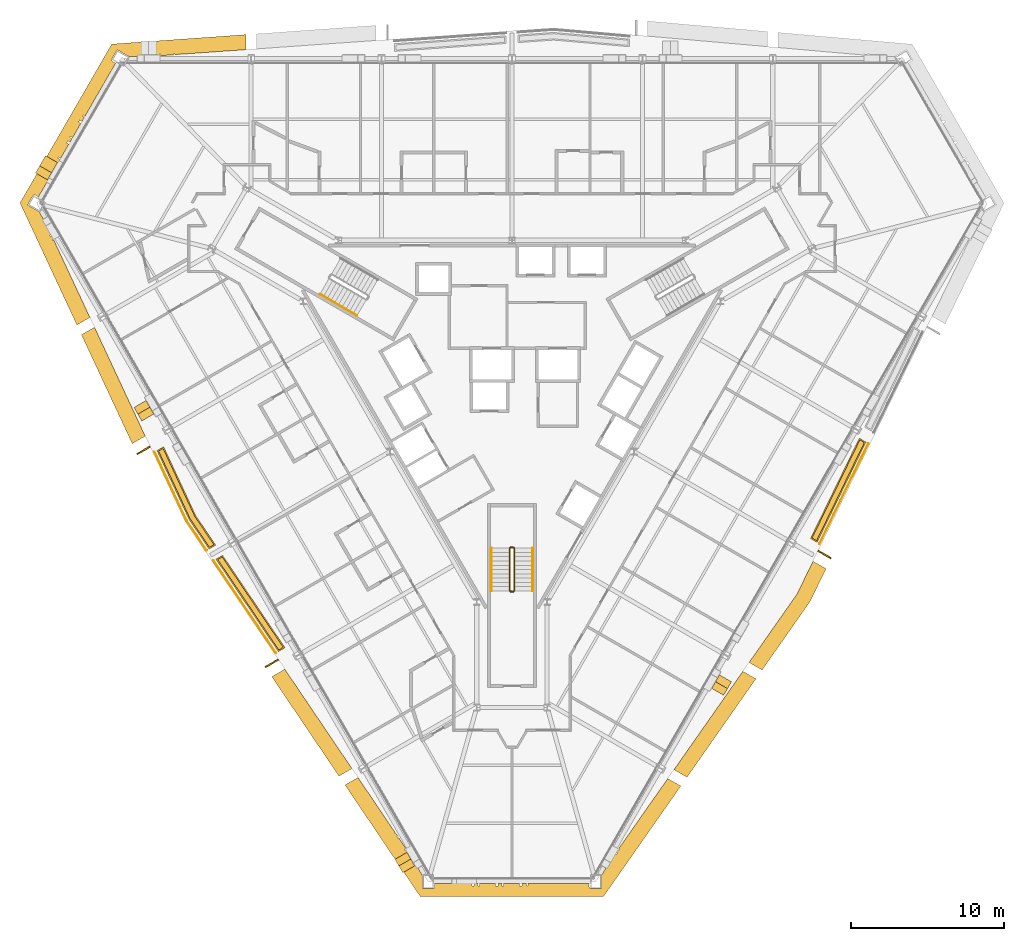
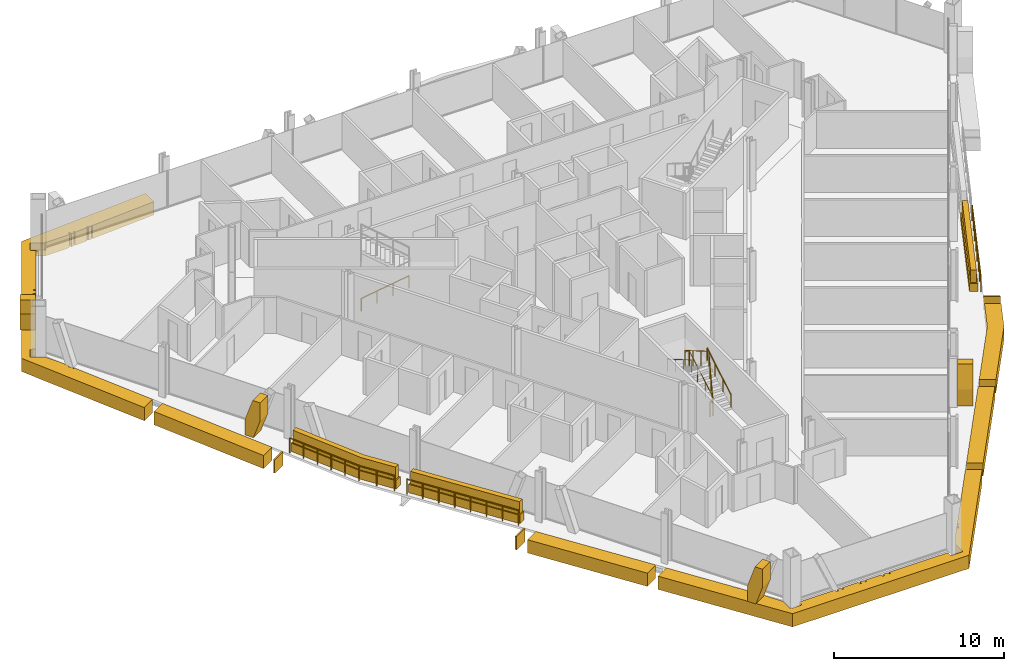
# One storey, part 17 of 18: 19 coverings, 7 railings.
"""IFC4 building model written with IfcOpenShell, lengths in metres."""

from ifc_helpers import new_model, si_unit, direction, frame, origin, origin_2d, place, context, subcontext, project, spatial, polyline, circle, outline, extrude, material, layer, layer_set, type_object, element, save


model = new_model("IFC4")

# Units and contexts
model_context = context("Model", 3, precision=1e-05, world=origin(), true_north=direction((0.0, 1.0)))
body_context = subcontext(model_context, "Body", "Model", "MODEL_VIEW")
ifc_project = project(units=[si_unit("LENGTHUNIT", "METRE"), si_unit("AREAUNIT", "SQUARE_METRE"), si_unit("VOLUMEUNIT", "CUBIC_METRE"), si_unit("PLANEANGLEUNIT", "RADIAN"), si_unit("MASSUNIT", "GRAM", prefix="KILO")], contexts=[model_context])

# Site, building, storey
site_placement = place(None, origin())
site = spatial("IfcSite", under=ifc_project, at=site_placement, CompositionType="ELEMENT")
building_placement = place(site_placement, origin())
building = spatial("IfcBuilding", under=site, at=building_placement, Name="Verrane Prism Tower", CompositionType="ELEMENT")
storey_placement = place(building_placement, frame((0.0, 0.0, 54.800048828125)))
storey = spatial("IfcBuildingStorey", under=building, at=storey_placement, Name="L11", CompositionType="ELEMENT", Elevation=54.800048828125)

# Coverings
ifc_material_1 = material(Name="Planting medium in stone kerb", Category="masonry")
covering_type_1 = type_object("IfcCoveringType", Name="Planter bed 600", PredefinedType="USERDEFINED", material=ifc_material_1)
covering_1_placement = place(storey_placement, origin())
element("IfcCovering", 1, at=covering_1_placement, inside=storey, type_object=covering_type_1, Name="Loggia planter SW3 L11", ObjectType="PLANTER", PredefinedType="USERDEFINED", context=body_context, shape_type="SweptSolid", body=[
    extrude(outline(polyline([(-23.177490234375, -4.529296875), (-21.0810546875, -9.0263671875), (-19.777099609375, -10.956298828125), (-19.343994140625, -10.706298828125), (-20.648193359375, -8.7763671875), (-22.744384765625, -4.279296875), (-23.177490234375, -4.529296875)])), origin(), (0.0, 0.0, 1.0), 0.599853515625),
])
covering_2_placement = place(storey_placement, origin())
element("IfcCovering", 2, at=covering_2_placement, inside=storey, type_object=covering_type_1, Name="Loggia planter SW4 L11", ObjectType="PLANTER", PredefinedType="USERDEFINED", context=body_context, shape_type="SweptSolid", body=[
    extrude(outline(polyline([(-19.327880859375, -11.620849609375), (-15.249755859375, -17.656494140625), (-14.81689453125, -17.406494140625), (-18.89501953125, -11.370849609375), (-19.327880859375, -11.620849609375)])), origin(), (0.0, 0.0, 1.0), 0.599853515625),
])
covering_3_placement = place(storey_placement, origin())
element("IfcCovering", 3, at=covering_3_placement, inside=storey, type_object=covering_type_1, Name="Loggia planter SE4 L11", ObjectType="PLANTER", PredefinedType="USERDEFINED", context=body_context, shape_type="SweptSolid", body=[
    extrude(outline(polyline([(19.925537109375, -10.5224609375), (23.11328125, -3.972900390625), (22.680419921875, -3.722900390625), (19.492431640625, -10.2724609375), (19.925537109375, -10.5224609375)])), origin(), (0.0, 0.0, 1.0), 0.599853515625),
])
ifc_material_2 = material(Name="Planted shrubs and grasses", Category="other")
covering_type_2 = type_object("IfcCoveringType", Name="Planting mass 1000", PredefinedType="USERDEFINED", material=ifc_material_2)
covering_4_placement = place(storey_placement, frame((0.0, 0.0, 0.599853515625)))
element("IfcCovering", 4, at=covering_4_placement, inside=storey, type_object=covering_type_2, Name="Loggia planting SW3 L11", ObjectType="PLANTING", PredefinedType="USERDEFINED", context=body_context, shape_type="SweptSolid", body=[
    extrude(outline(polyline([(-21.01123046875, -8.98681640625), (-19.75244140625, -10.849853515625), (-19.45849609375, -10.679931640625), (-20.718017578125, -8.81591796875), (-22.780029296875, -4.392333984375), (-23.073974609375, -4.56201171875), (-21.01123046875, -8.98681640625)])), origin(), (0.0, 0.0, 1.0), 0.900146484375),
])
covering_5_placement = place(storey_placement, frame((0.0, 0.0, 0.599853515625)))
element("IfcCovering", 5, at=covering_5_placement, inside=storey, type_object=covering_type_2, Name="Loggia planting SW4 L11", ObjectType="PLANTING", PredefinedType="USERDEFINED", context=body_context, shape_type="SweptSolid", body=[
    extrude(outline(polyline([(-15.22509765625, -17.550048828125), (-14.93115234375, -17.380126953125), (-18.919677734375, -11.4775390625), (-19.213623046875, -11.647216796875), (-15.22509765625, -17.550048828125)])), origin(), (0.0, 0.0, 1.0), 0.900146484375),
])
covering_6_placement = place(storey_placement, frame((0.0, 0.0, 0.599853515625)))
element("IfcCovering", 6, at=covering_6_placement, inside=storey, type_object=covering_type_2, Name="Loggia planting SE4 L11", ObjectType="PLANTING", PredefinedType="USERDEFINED", context=body_context, shape_type="SweptSolid", body=[
    extrude(outline(polyline([(23.0087890625, -4.0048828125), (22.71484375, -3.8349609375), (19.59716796875, -10.240478515625), (19.89111328125, -10.410400390625), (23.0087890625, -4.0048828125)])), origin(), (0.0, 0.0, 1.0), 0.900146484375),
])

# Railings
ifc_material_3 = material(Name="Steel A36 rail and posts, no infill", Category="steel")
railing_type_1 = type_object("IfcRailingType", Name="Stair guard 1100 steel rail and posts", PredefinedType="GUARDRAIL", material=ifc_material_3)
railing_1_placement = place(storey_placement, frame((0.14990234375, -13.699951171875, 0.16357421875)))
element("IfcRailing", 7, at=railing_1_placement, inside=storey, type_object=railing_type_1, Name="Stair 3 guard", PredefinedType="GUARDRAIL", context=body_context, shape_type="SweptSolid", body=[
    extrude(circle(Radius=0.02392578125, at=origin_2d()), frame((0.0, 0.0, 1.076171875), z_axis=(0.0, 0.863360870873, 0.504586966384), x_axis=(-1.0, 0.0, 0.0)), (0.0, 0.0, 1.0), 3.2431640625),
    extrude(circle(Radius=0.02392578125, at=origin_2d()), frame((0.0, 2.800048828125, 2.71240234375), z_axis=(-0.707106781187, 0.707106781187, 0.0), x_axis=(-0.707106781187, -0.707106781187, 0.0)), (0.0, 0.0, 1.0), 0.0703125),
    extrude(circle(Radius=0.02392578125, at=origin_2d()), frame((-0.0498046875, 2.849853515625, 2.71240234375), z_axis=(-1.0, 0.0, 0.0), x_axis=(0.0, -1.0, 0.0)), (0.0, 0.0, 1.0), 0.2001953125),
    extrude(circle(Radius=0.02392578125, at=origin_2d()), frame((-0.25, 2.849853515625, 2.71240234375), z_axis=(-0.279653641804, -0.279653641804, 0.918470294159), x_axis=(0.707106781187, -0.707106781187, 0.0)), (0.0, 0.0, 1.0), 0.177978515625),
    extrude(circle(Radius=0.02392578125, at=origin_2d()), frame((-0.2998046875, 2.800048828125, 2.8759765625), z_axis=(0.0, -0.863393664356, 0.504530851732), x_axis=(1.0, 0.0, 0.0)), (0.0, 0.0, 1.0), 3.2431640625),
    extrude(circle(Radius=0.02392578125, at=origin_2d()), frame((-0.2998046875, 0.0, 4.51220703125), z_axis=(0.069273741535, -0.013868278335, -0.997501288014), x_axis=(0.196300278283, 0.98054382908, 0.0)), (0.0, 0.0, 1.0), 3.60888671875),
    extrude(circle(Radius=0.02392578125, at=origin_2d()), frame((-0.0498046875, -0.050048828125, 0.91259765625), z_axis=(-1.0, 0.0, 0.0), x_axis=(0.0, -1.0, 0.0)), (0.0, 0.0, 1.0), 0.2001953125),
    extrude(circle(Radius=0.02099609375, at=origin_2d()), origin(), (0.0, 0.0, 1.0), 1.052001953125),
    extrude(circle(Radius=0.02099609375, at=origin_2d()), frame((0.0, 0.933349609375, 0.54541015625)), (0.0, 0.0, 1.0), 1.052001953125),
    extrude(circle(Radius=0.02099609375, at=origin_2d()), frame((0.0, 1.86669921875, 1.091064453125)), (0.0, 0.0, 1.0), 1.052001953125),
    extrude(circle(Radius=0.02099609375, at=origin_2d()), frame((0.0, 2.800048828125, 1.636474609375)), (0.0, 0.0, 1.0), 1.052001953125),
    extrude(circle(Radius=0.02099609375, at=origin_2d()), frame((-0.0498046875, 2.849853515625, 1.636474609375)), (0.0, 0.0, 1.0), 1.052001953125),
    extrude(circle(Radius=0.02099609375, at=origin_2d()), frame((-0.25, 2.849853515625, 1.636474609375)), (0.0, 0.0, 1.0), 1.052001953125),
    extrude(circle(Radius=0.02099609375, at=origin_2d()), frame((-0.2998046875, 2.800048828125, 1.800048828125)), (0.0, 0.0, 1.0), 1.052001953125),
    extrude(circle(Radius=0.02099609375, at=origin_2d()), frame((-0.2998046875, 1.86669921875, 2.345458984375)), (0.0, 0.0, 1.0), 1.052001953125),
    extrude(circle(Radius=0.02099609375, at=origin_2d()), frame((-0.2998046875, 0.933349609375, 2.890869140625)), (0.0, 0.0, 1.0), 1.052001953125),
    extrude(circle(Radius=0.02099609375, at=origin_2d()), frame((-0.2998046875, 0.0, 3.436279296875)), (0.0, 0.0, 1.0), 1.052001953125),
    extrude(circle(Radius=0.02099609375, at=origin_2d()), frame((-0.2373046875, -0.012451171875, 2.536376953125)), (0.0, 0.0, 1.0), 1.052001953125),
    extrude(circle(Radius=0.02099609375, at=origin_2d()), frame((-0.1748046875, -0.02490234375, 1.63623046875)), (0.0, 0.0, 1.0), 1.052001953125),
    extrude(circle(Radius=0.02099609375, at=origin_2d()), frame((-0.1123046875, -0.03759765625, 0.736328125)), (0.0, 0.0, 1.0), 1.052001953125),
    extrude(circle(Radius=0.02099609375, at=origin_2d()), frame((-0.0498046875, -0.050048828125, -0.16357421875)), (0.0, 0.0, 1.0), 1.052001953125),
    extrude(circle(Radius=0.02099609375, at=origin_2d()), frame((-0.25, -0.050048828125, -0.16357421875)), (0.0, 0.0, 1.0), 1.052001953125),
])
ifc_material_4 = material(Name="Steel A36 tube", Category="steel")
railing_type_2 = type_object("IfcRailingType", Name="Stair handrail 900 steel tube", PredefinedType="HANDRAIL", material=ifc_material_4)
railing_2_placement = place(storey_placement, frame((-12.53955078125, 5.680908203125, 0.16357421875)))
element("IfcRailing", 8, at=railing_2_placement, inside=storey, type_object=railing_type_2, Name="Stair 2 handrail", PredefinedType="HANDRAIL", context=body_context, shape_type="SweptSolid", body=[
    extrude(circle(Radius=0.02392578125, at=origin_2d()), frame((0.0, 0.0, 0.8759765625), z_axis=(0.747665513933, -0.431721881032, 0.504591415616), x_axis=(0.500049511043, 0.865996816683, 0.0)), (0.0, 0.0, 1.0), 3.2431640625),
    extrude(circle(Radius=0.02099609375, at=origin_2d()), origin(), (0.0, 0.0, 1.0), 0.851806640625),
    extrude(circle(Radius=0.02099609375, at=origin_2d()), frame((0.808349609375, -0.466796875, 0.54541015625)), (0.0, 0.0, 1.0), 0.851806640625),
    extrude(circle(Radius=0.02099609375, at=origin_2d()), frame((1.616455078125, -0.933349609375, 1.091064453125)), (0.0, 0.0, 1.0), 0.851806640625),
    extrude(circle(Radius=0.02099609375, at=origin_2d()), frame((2.4248046875, -1.400146484375, 1.636474609375)), (0.0, 0.0, 1.0), 0.851806640625),
])
railing_3_placement = place(storey_placement, frame((1.35009765625, -13.699951171875, 0.16357421875)))
element("IfcRailing", 9, at=railing_3_placement, inside=storey, type_object=railing_type_2, Name="Stair 3 handrail", PredefinedType="HANDRAIL", context=body_context, shape_type="SweptSolid", body=[
    extrude(circle(Radius=0.02392578125, at=origin_2d()), frame((0.0, 0.0, 0.8759765625), z_axis=(0.0, 0.863360870873, 0.504586966384), x_axis=(-1.0, 0.0, 0.0)), (0.0, 0.0, 1.0), 3.2431640625),
    extrude(circle(Radius=0.02099609375, at=origin_2d()), origin(), (0.0, 0.0, 1.0), 0.851806640625),
    extrude(circle(Radius=0.02099609375, at=origin_2d()), frame((0.0, 0.933349609375, 0.54541015625)), (0.0, 0.0, 1.0), 0.851806640625),
    extrude(circle(Radius=0.02099609375, at=origin_2d()), frame((0.0, 1.86669921875, 1.091064453125)), (0.0, 0.0, 1.0), 0.851806640625),
    extrude(circle(Radius=0.02099609375, at=origin_2d()), frame((0.0, 2.800048828125, 1.636474609375)), (0.0, 0.0, 1.0), 0.851806640625),
])
railing_4_placement = place(storey_placement, frame((-1.35009765625, -10.89990234375, 1.963623046875)))
element("IfcRailing", 10, at=railing_4_placement, inside=storey, type_object=railing_type_2, Name="Stair 3 handrail", PredefinedType="HANDRAIL", context=body_context, shape_type="SweptSolid", body=[
    extrude(circle(Radius=0.02392578125, at=origin_2d()), frame((0.0, 0.0, 0.8759765625), z_axis=(0.0, -0.863393664356, 0.504530851732), x_axis=(1.0, 0.0, 0.0)), (0.0, 0.0, 1.0), 3.2431640625),
    extrude(circle(Radius=0.02099609375, at=origin_2d()), origin(), (0.0, 0.0, 1.0), 0.851806640625),
    extrude(circle(Radius=0.02099609375, at=origin_2d()), frame((0.0, -0.933349609375, 0.54541015625)), (0.0, 0.0, 1.0), 0.851806640625),
    extrude(circle(Radius=0.02099609375, at=origin_2d()), frame((0.0, -1.86669921875, 1.0908203125)), (0.0, 0.0, 1.0), 0.851806640625),
    extrude(circle(Radius=0.02099609375, at=origin_2d()), frame((0.0, -2.800048828125, 1.63623046875)), (0.0, 0.0, 1.0), 0.851806640625),
])

# Coverings
ifc_material_5 = material(Name="Warm limestone cladding", Category="masonry")
ifc_layer_1 = layer(ifc_material_5, 0.89990234375)
ifc_layer_set_1 = layer_set([ifc_layer_1], Name="Stone brace fin 900")
covering_type_3 = type_object("IfcCoveringType", Name="Stone brace fin 900", PredefinedType="CLADDING", material=ifc_layer_set_1)
covering_7_placement = place(storey_placement, frame((-24.284423828125, -1.489501953125, 0.0), z_axis=(0.0, 0.0, 1.0), x_axis=(0.498980839555, -0.866613017302, 0.0)))
element("IfcCovering", 11, at=covering_7_placement, inside=storey, type_object=covering_type_3, Name="Stone brace fin SW2 L11", PredefinedType="CLADDING", context=body_context, shape_type="SweptSolid", body=[
    extrude(outline(polyline([(1.0166015625, 2.64990234375), (0.502685546875, 2.64990234375), (0.0, 1.162841796875), (0.0, 0.0), (0.556884765625, 0.0), (1.0166015625, 1.360107421875), (1.0166015625, 2.64990234375)])), frame((0.0, 0.449951171875, 0.0), z_axis=(0.0, -1.0, 0.0), x_axis=(1.0, 0.0, 0.0)), (0.0, 0.0, 1.0), 0.89990234375),
])
covering_8_placement = place(storey_placement, frame((-7.24658203125, -30.9931640625, 0.0), z_axis=(0.0, 0.0, 1.0), x_axis=(0.500505763141, -0.86573320432, 0.0)))
element("IfcCovering", 12, at=covering_8_placement, inside=storey, type_object=covering_type_3, Name="Stone brace fin SW6 L11", PredefinedType="CLADDING", context=body_context, shape_type="SweptSolid", body=[
    extrude(outline(polyline([(1.01611328125, 2.64990234375), (0.502197265625, 2.64990234375), (0.0, 1.163330078125), (0.0, 0.0), (0.556884765625, 0.0), (1.01611328125, 1.359375), (1.01611328125, 2.64990234375)])), frame((0.0, 0.449951171875, 0.0), z_axis=(0.0, -1.0, 0.0), x_axis=(1.0, 0.0, 0.0)), (0.0, 0.0, 1.0), 0.89990234375),
])
covering_9_placement = place(storey_placement, frame((13.4326171875, -20.28369140625, 0.0), z_axis=(0.0, 0.0, 1.0), x_axis=(0.499985639223, 0.866033694824, 0.0)))
element("IfcCovering", 13, at=covering_9_placement, inside=storey, type_object=covering_type_3, Name="Stone brace fin SE2 L11", PredefinedType="CLADDING", context=body_context, shape_type="SweptSolid", body=[
    extrude(outline(polyline([(1.01708984375, 2.64990234375), (0.503173828125, 2.64990234375), (0.0, 1.162109375), (0.0, 0.0), (0.55712890625, 0.0), (1.01708984375, 1.36083984375), (1.01708984375, 2.64990234375)])), frame((0.0, 0.449951171875, 0.0), z_axis=(0.0, -1.0, 0.0), x_axis=(1.0, 0.0, 0.0)), (0.0, 0.0, 1.0), 0.89990234375),
])
covering_10_placement = place(storey_placement, frame((-30.065673828125, 14.5, 0.0), z_axis=(0.0, 0.0, 1.0), x_axis=(-0.499803477943, -0.866138836121, 0.0)))
element("IfcCovering", 14, at=covering_10_placement, inside=storey, type_object=covering_type_3, Name="Stone brace fin NW1 L11", PredefinedType="CLADDING", context=body_context, shape_type="SweptSolid", body=[
    extrude(outline(polyline([(1.30419921875, 2.64990234375), (0.766845703125, 2.64990234375), (0.0, 0.884521484375), (0.0, 0.0), (0.59716796875, 0.0), (1.30419921875, 1.62841796875), (1.30419921875, 2.64990234375)])), frame((0.0, 0.449951171875, 0.0), z_axis=(0.0, -1.0, 0.0), x_axis=(1.0, 0.0, 0.0)), (0.0, 0.0, 1.0), 0.89990234375),
])
ifc_material_6 = material(Name="Warm limestone cladding", Category="masonry")
ifc_layer_2 = layer(ifc_material_6, 0.449951171875)
ifc_layer_set_2 = layer_set([ifc_layer_2], Name="Stone spandrel band 450")
covering_type_4 = type_object("IfcCoveringType", Name="Stone spandrel band 450", PredefinedType="CLADDING", material=ifc_layer_set_2)
covering_11_placement = place(storey_placement, frame((0.0, 0.0, -0.949951171875)))
element("IfcCovering", 15, at=covering_11_placement, inside=storey, type_object=covering_type_4, Name="Stone spandrel band L11 part 1", PredefinedType="CLADDING", context=body_context, shape_type="SweptSolid", body=[
    extrude(outline(polyline([(-5.99267578125, -33.638671875), (5.982177734375, -33.638671875), (11.026123046875, -26.437255859375), (10.17578125, -25.9462890625), (6.972412109375, -30.51953125), (7.033447265625, -30.5546875), (6.996826171875, -30.617919921875), (6.9306640625, -30.57958984375), (6.8154296875, -30.743896484375), (6.896728515625, -30.791015625), (6.8388671875, -30.89111328125), (6.748779296875, -30.839111328125), (6.349365234375, -31.4091796875), (5.85009765625, -32.274169921875), (5.85009765625, -33.139892578125), (5.090087890625, -33.139892578125), (5.090087890625, -33.117919921875), (5.042724609375, -33.03466796875), (5.042724609375, -32.793701171875), (1.0283203125, -32.793701171875), (1.0615234375, -32.930908203125), (0.975341796875, -32.95166015625), (0.937255859375, -32.793701171875), (0.65185546875, -32.793701171875), (0.65185546875, -32.9599609375), (0.502197265625, -32.9599609375), (0.502197265625, -32.793701171875), (-0.5615234375, -32.793701171875), (-0.5615234375, -32.9599609375), (-0.65185546875, -32.9599609375), (-0.65185546875, -32.793701171875), (-0.910888671875, -32.793701171875), (-0.910888671875, -32.9599609375), (-1.060791015625, -32.9599609375), (-1.060791015625, -32.793701171875), (-2.12451171875, -32.793701171875), (-2.12451171875, -32.9599609375), (-2.214599609375, -32.9599609375), (-2.214599609375, -32.793701171875), (-2.473876953125, -32.793701171875), (-2.473876953125, -32.9599609375), (-2.62353515625, -32.9599609375), (-2.62353515625, -32.793701171875), (-5.042724609375, -32.793701171875), (-5.042724609375, -33.03466796875), (-5.090087890625, -33.117919921875), (-5.090087890625, -33.139892578125), (-5.85009765625, -33.139892578125), (-5.85009765625, -32.274169921875), (-6.531005859375, -31.094482421875), (-6.71630859375, -30.8203125), (-6.8388671875, -30.89111328125), (-6.896728515625, -30.791015625), (-6.78125, -30.72412109375), (-6.8935546875, -30.55810546875), (-6.996826171875, -30.617919921875), (-7.033447265625, -30.5546875), (-6.934326171875, -30.49755859375), (-7.39892578125, -29.810302734375), (-7.447509765625, -29.83837890625), (-7.50537109375, -29.738037109375), (-7.4638671875, -29.714111328125), (-7.58447265625, -29.53564453125), (-7.61328125, -29.550537109375), (-7.6474609375, -29.484375), (-7.62646484375, -29.4736328125), (-10.056396484375, -25.877197265625), (-10.905517578125, -26.367431640625), (-5.99267578125, -33.638671875)])), origin(), (0.0, 0.0, 1.0), 0.949951171875),
])
covering_12_placement = place(storey_placement, frame((0.0, 0.0, -0.949951171875)))
element("IfcCovering", 16, at=covering_12_placement, inside=storey, type_object=covering_type_4, Name="Stone spandrel band L11 part 3", PredefinedType="CLADDING", context=body_context, shape_type="SweptSolid", body=[
    extrude(outline(polyline([(-27.55810546875, 4.16064453125), (-29.916015625, 9.21923828125), (-29.97607421875, 9.1845703125), (-30.012451171875, 9.24755859375), (-29.947021484375, 9.285400390625), (-30.03173828125, 9.467529296875), (-30.112548828125, 9.420654296875), (-30.170654296875, 9.52099609375), (-30.080810546875, 9.57275390625), (-30.3759765625, 10.2060546875), (-30.87255859375, 11.06591796875), (-31.625732421875, 11.5009765625), (-31.24560546875, 12.1591796875), (-31.226806640625, 12.148193359375), (-31.12939453125, 12.148193359375), (-30.92236328125, 12.028564453125), (-29.712890625, 14.12353515625), (-29.856689453125, 14.206298828125), (-29.78173828125, 14.336181640625), (-29.637939453125, 14.25341796875), (-29.50830078125, 14.477783203125), (-29.652099609375, 14.560791015625), (-29.607177734375, 14.638916015625), (-29.463134765625, 14.555908203125), (-28.93115234375, 15.4775390625), (-29.0751953125, 15.560791015625), (-29.000244140625, 15.6904296875), (-28.856201171875, 15.607421875), (-28.7265625, 15.831787109375), (-28.870849609375, 15.9150390625), (-28.82568359375, 15.993408203125), (-28.681396484375, 15.91015625), (-28.1494140625, 16.83154296875), (-28.2939453125, 16.9150390625), (-28.218994140625, 17.044921875), (-28.074462890625, 16.96142578125), (-27.931396484375, 17.208984375), (-28.04931640625, 17.32177734375), (-27.98779296875, 17.385986328125), (-27.8857421875, 17.2880859375), (-25.877685546875, 20.76611328125), (-26.08642578125, 20.886474609375), (-26.136474609375, 20.9697265625), (-26.15576171875, 20.98095703125), (-25.775634765625, 21.63916015625), (-25.02099609375, 21.203369140625), (-23.6630859375, 21.203369140625), (-23.33154296875, 21.226806640625), (-23.33154296875, 21.3701171875), (-23.2158203125, 21.3701171875), (-23.2158203125, 21.235107421875), (-23.015625, 21.249267578125), (-23.015625, 21.3701171875), (-22.94287109375, 21.3701171875), (-22.94287109375, 21.25439453125), (-22.114501953125, 21.31298828125), (-22.114501953125, 21.3701171875), (-21.99853515625, 21.3701171875), (-21.99853515625, 21.321044921875), (-21.78369140625, 21.336181640625), (-21.781982421875, 21.36962890625), (-21.70751953125, 21.365966796875), (-21.708740234375, 21.341552734375), (-17.382080078125, 21.647705078125), (-17.382080078125, 22.628173828125), (-26.135498046875, 22.009033203125), (-32.122802734375, 11.638671875), (-28.408203125, 3.669677734375), (-27.55810546875, 4.16064453125)])), origin(), (0.0, 0.0, 1.0), 0.949951171875),
])
covering_13_placement = place(storey_placement, frame((0.0, 0.0, -0.949951171875)))
element("IfcCovering", 17, at=covering_13_placement, inside=storey, type_object=covering_type_4, Name="Stone spandrel band L11 part 4", PredefinedType="CLADDING", context=body_context, shape_type="SweptSolid", body=[
    extrude(outline(polyline([(-23.9462890625, -3.587646484375), (-27.260986328125, 3.523681640625), (-28.111328125, 3.03271484375), (-24.79638671875, -4.07861328125), (-23.9462890625, -3.587646484375)])), origin(), (0.0, 0.0, 1.0), 0.949951171875),
])
covering_14_placement = place(storey_placement, frame((0.0, 0.0, -0.949951171875)))
element("IfcCovering", 18, at=covering_14_placement, inside=storey, type_object=covering_type_4, Name="Stone spandrel band L11 part 5", PredefinedType="CLADDING", context=body_context, shape_type="SweptSolid", body=[
    extrude(outline(polyline([(-15.685302734375, -19.293701171875), (-11.29833984375, -25.7861328125), (-10.44921875, -25.2958984375), (-14.8359375, -18.80322265625), (-15.685302734375, -19.293701171875)])), origin(), (0.0, 0.0, 1.0), 0.949951171875),
])
covering_15_placement = place(storey_placement, frame((0.0, 0.0, -0.949951171875)))
element("IfcCovering", 19, at=covering_15_placement, inside=storey, type_object=covering_type_4, Name="Stone spandrel band L11 part 6", PredefinedType="CLADDING", context=body_context, shape_type="SweptSolid", body=[
    extrude(outline(polyline([(15.080078125, -18.944091796875), (10.578857421875, -25.37060546875), (11.42919921875, -25.861572265625), (15.930419921875, -19.435302734375), (15.080078125, -18.944091796875)])), origin(), (0.0, 0.0, 1.0), 0.949951171875),
])
covering_16_placement = place(storey_placement, frame((0.0, 0.0, -0.949951171875)))
element("IfcCovering", 20, at=covering_16_placement, inside=storey, type_object=covering_type_4, Name="Stone spandrel band L11 part 7", PredefinedType="CLADDING", context=body_context, shape_type="SweptSolid", body=[
    extrude(outline(polyline([(19.462158203125, -14.392822265625), (20.5078125, -12.244384765625), (19.65869140625, -11.754150390625), (18.61669921875, -13.89501953125), (15.483154296875, -18.36865234375), (16.33349609375, -18.859619140625), (19.462158203125, -14.392822265625)])), origin(), (0.0, 0.0, 1.0), 0.949951171875),
])
covering_17_placement = place(storey_placement, frame((0.0, 0.0, -0.949951171875)))
element("IfcCovering", 21, at=covering_17_placement, inside=storey, type_object=covering_type_4, Name="Stone spandrel band L11 part 10", PredefinedType="CLADDING", context=body_context, shape_type="SweptSolid", body=[
    extrude(outline(polyline([(-24.457275390625, -4.806396484375), (-23.60693359375, -4.315673828125), (-23.6494140625, -4.224609375), (-24.499755859375, -4.71533203125), (-24.457275390625, -4.806396484375)])), origin(), (0.0, 0.0, 1.0), 0.949951171875),
])
covering_18_placement = place(storey_placement, frame((0.0, 0.0, -0.949951171875)))
element("IfcCovering", 22, at=covering_18_placement, inside=storey, type_object=covering_type_4, Name="Stone spandrel band L11 part 11", PredefinedType="CLADDING", context=body_context, shape_type="SweptSolid", body=[
    extrude(outline(polyline([(-15.28515625, -18.138916015625), (-16.13427734375, -18.62890625), (-16.078125, -18.712158203125), (-15.22900390625, -18.221923828125), (-15.28515625, -18.138916015625)])), origin(), (0.0, 0.0, 1.0), 0.949951171875),
])
covering_19_placement = place(storey_placement, frame((0.0, 0.0, -0.949951171875)))
element("IfcCovering", 23, at=covering_19_placement, inside=storey, type_object=covering_type_4, Name="Stone spandrel band L11 part 12", PredefinedType="CLADDING", context=body_context, shape_type="SweptSolid", body=[
    extrude(outline(polyline([(20.81494140625, -11.61328125), (20.85888671875, -11.523193359375), (20.009765625, -11.032958984375), (19.9658203125, -11.123046875), (20.81494140625, -11.61328125)])), origin(), (0.0, 0.0, 1.0), 0.949951171875),
])

# Railings
ifc_material_7 = material(Name="Stainless steel and laminated glass", Category="steel")
railing_type_3 = type_object("IfcRailingType", Name="Terrace guard 1100", PredefinedType="GUARDRAIL", material=ifc_material_7)
railing_5_placement = place(storey_placement, frame((-23.333251953125, -4.619384765625, 0.0)))
element("IfcRailing", 24, at=railing_5_placement, inside=storey, type_object=railing_type_3, Name="Loggia guard SW3 L11", PredefinedType="GUARDRAIL", context=body_context, shape_type="SweptSolid", body=[
    extrude(circle(Radius=0.02392578125, at=origin_2d()), frame((0.0, 0.0, 1.076171875), z_axis=(0.422481360719, -0.906371612444, 0.0), x_axis=(0.906371612444, 0.422481360719, 0.0)), (0.0, 0.0, 1.0), 4.961669921875),
    extrude(circle(Radius=0.02392578125, at=origin_2d()), frame((2.09619140625, -4.4970703125, 1.076171875), z_axis=(0.559913811638, -0.828550857544, 0.0), x_axis=(0.828550857544, 0.559913811638, 0.0)), (0.0, 0.0, 1.0), 2.329345703125),
    extrude(circle(Radius=0.02099609375, at=origin_2d()), origin(), (0.0, 0.0, 1.0), 1.052001953125),
    extrude(circle(Radius=0.02099609375, at=origin_2d()), frame((0.419189453125, -0.8994140625, 0.0)), (0.0, 0.0, 1.0), 1.052001953125),
    extrude(circle(Radius=0.02099609375, at=origin_2d()), frame((0.83837890625, -1.798828125, 0.0)), (0.0, 0.0, 1.0), 1.052001953125),
    extrude(circle(Radius=0.02099609375, at=origin_2d()), frame((1.2578125, -2.6982421875, 0.0)), (0.0, 0.0, 1.0), 1.052001953125),
    extrude(circle(Radius=0.02099609375, at=origin_2d()), frame((1.677001953125, -3.59765625, 0.0)), (0.0, 0.0, 1.0), 1.052001953125),
    extrude(circle(Radius=0.02099609375, at=origin_2d()), frame((2.09619140625, -4.4970703125, 0.0)), (0.0, 0.0, 1.0), 1.052001953125),
    extrude(circle(Radius=0.02099609375, at=origin_2d()), frame((2.748291015625, -5.4619140625, 0.0)), (0.0, 0.0, 1.0), 1.052001953125),
    extrude(circle(Radius=0.02099609375, at=origin_2d()), frame((3.400390625, -6.427001953125, 0.0)), (0.0, 0.0, 1.0), 1.052001953125),
])
railing_6_placement = place(storey_placement, frame((-19.48388671875, -11.7109375, 0.0)))
element("IfcRailing", 25, at=railing_6_placement, inside=storey, type_object=railing_type_3, Name="Loggia guard SW4 L11", PredefinedType="GUARDRAIL", context=body_context, shape_type="SweptSolid", body=[
    extrude(circle(Radius=0.02392578125, at=origin_2d()), frame((0.0, 0.0, 1.076171875), z_axis=(0.559856167443, -0.828589809119, 0.0), x_axis=(0.828589809119, 0.559856167443, 0.0)), (0.0, 0.0, 1.0), 7.2841796875),
    extrude(circle(Radius=0.02099609375, at=origin_2d()), origin(), (0.0, 0.0, 1.0), 1.052001953125),
    extrude(circle(Radius=0.02099609375, at=origin_2d()), frame((0.58251953125, -0.8623046875, 0.0)), (0.0, 0.0, 1.0), 1.052001953125),
    extrude(circle(Radius=0.02099609375, at=origin_2d()), frame((1.165283203125, -1.724365234375, 0.0)), (0.0, 0.0, 1.0), 1.052001953125),
    extrude(circle(Radius=0.02099609375, at=origin_2d()), frame((1.747802734375, -2.586669921875, 0.0)), (0.0, 0.0, 1.0), 1.052001953125),
    extrude(circle(Radius=0.02099609375, at=origin_2d()), frame((2.330322265625, -3.448974609375, 0.0)), (0.0, 0.0, 1.0), 1.052001953125),
    extrude(circle(Radius=0.02099609375, at=origin_2d()), frame((2.912841796875, -4.311279296875, 0.0)), (0.0, 0.0, 1.0), 1.052001953125),
    extrude(circle(Radius=0.02099609375, at=origin_2d()), frame((3.49560546875, -5.17333984375, 0.0)), (0.0, 0.0, 1.0), 1.052001953125),
    extrude(circle(Radius=0.02099609375, at=origin_2d()), frame((4.078125, -6.03564453125, 0.0)), (0.0, 0.0, 1.0), 1.052001953125),
])
railing_7_placement = place(storey_placement, frame((20.081298828125, -10.612548828125, 0.0)))
element("IfcRailing", 26, at=railing_7_placement, inside=storey, type_object=railing_type_3, Name="Loggia guard SE4 L11", PredefinedType="GUARDRAIL", context=body_context, shape_type="SweptSolid", body=[
    extrude(circle(Radius=0.02392578125, at=origin_2d()), frame((0.0, 0.0, 1.076171875), z_axis=(0.437642967361, 0.899148838135, 0.0), x_axis=(-0.899148838135, 0.437642967361, 0.0)), (0.0, 0.0, 1.0), 7.284423828125),
    extrude(circle(Radius=0.02099609375, at=origin_2d()), origin(), (0.0, 0.0, 1.0), 1.052001953125),
    extrude(circle(Radius=0.02099609375, at=origin_2d()), frame((0.455322265625, 0.935791015625, 0.0)), (0.0, 0.0, 1.0), 1.052001953125),
    extrude(circle(Radius=0.02099609375, at=origin_2d()), frame((0.910888671875, 1.871337890625, 0.0)), (0.0, 0.0, 1.0), 1.052001953125),
    extrude(circle(Radius=0.02099609375, at=origin_2d()), frame((1.3662109375, 2.80712890625, 0.0)), (0.0, 0.0, 1.0), 1.052001953125),
    extrude(circle(Radius=0.02099609375, at=origin_2d()), frame((1.82177734375, 3.74267578125, 0.0)), (0.0, 0.0, 1.0), 1.052001953125),
    extrude(circle(Radius=0.02099609375, at=origin_2d()), frame((2.277099609375, 4.678466796875, 0.0)), (0.0, 0.0, 1.0), 1.052001953125),
    extrude(circle(Radius=0.02099609375, at=origin_2d()), frame((2.732666015625, 5.614013671875, 0.0)), (0.0, 0.0, 1.0), 1.052001953125),
    extrude(circle(Radius=0.02099609375, at=origin_2d()), frame((3.18798828125, 6.5498046875, 0.0)), (0.0, 0.0, 1.0), 1.052001953125),
])

save(model, "model.ifc")
